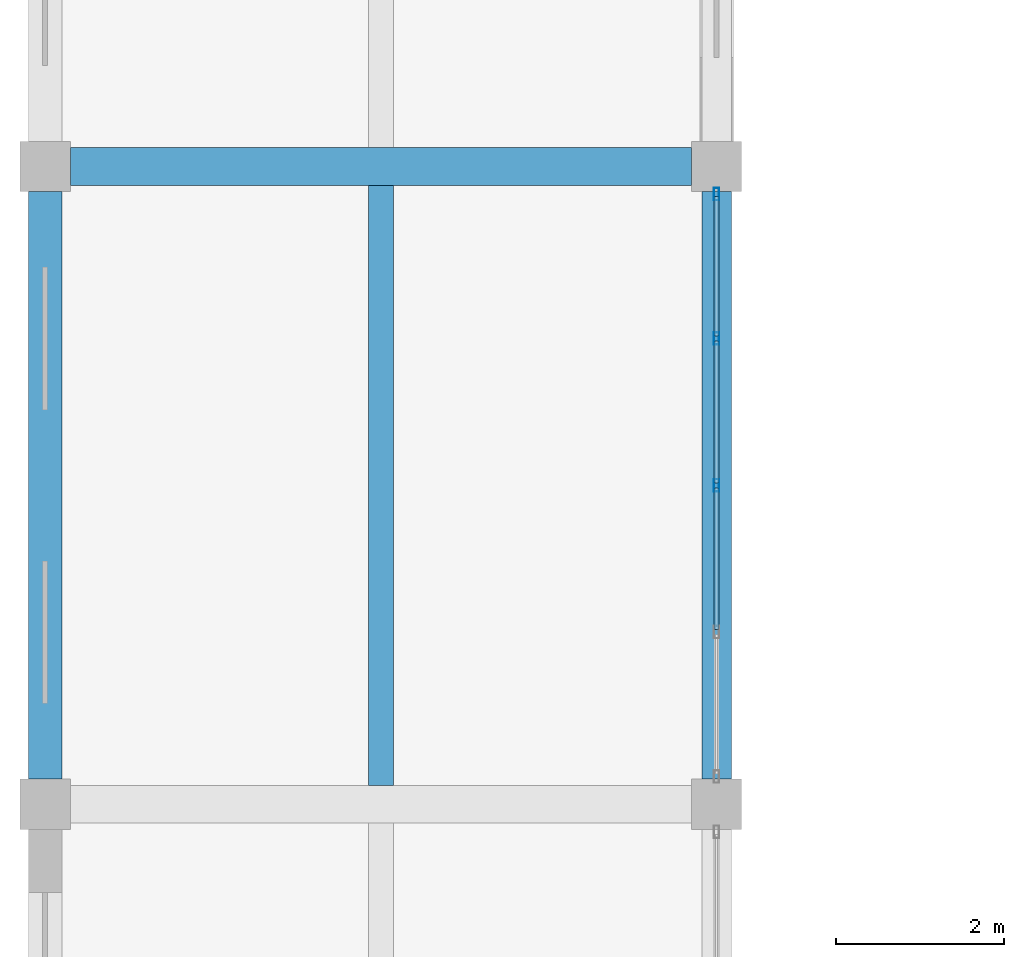
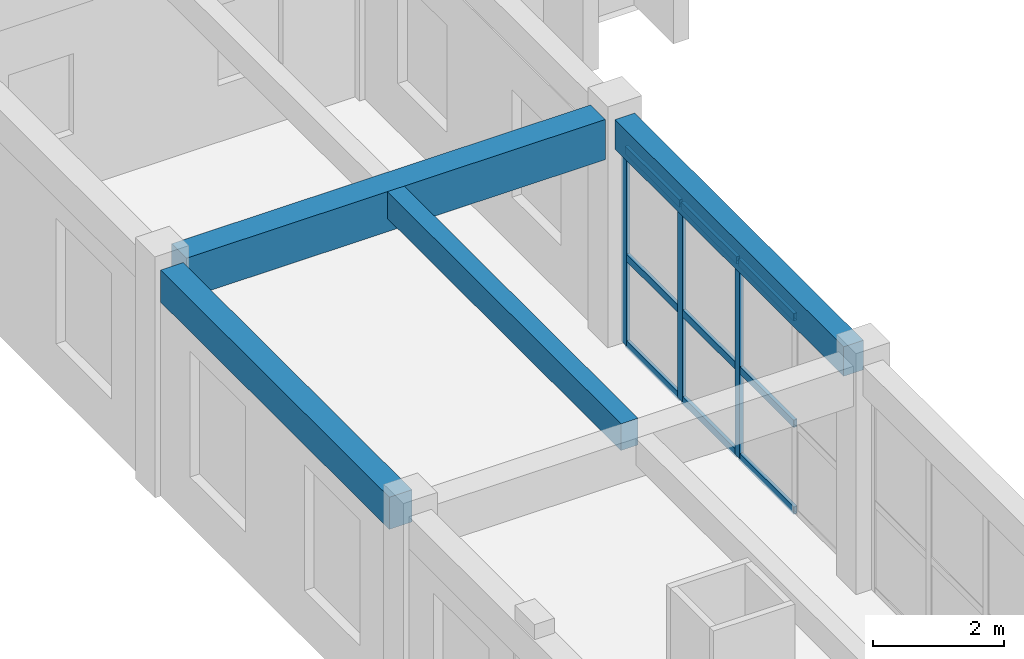
# One storey, part 13 of 79: 12 members, 4 beams, 1 element without a shape of its own.
"""IFC4 building model written with IfcOpenShell, lengths in metres."""

from ifc_helpers import new_model, si_unit, direction, frame, origin, origin_2d, place, context, subcontext, project, spatial, rectangle, hollow_rectangle, extrude, material, material_profile, profile_set, type_object, element, aggregate, save


model = new_model("IFC4")

# Units and contexts
model_context = context("Model", 3, precision=1e-05, world=origin(), true_north=direction((0.0, 1.0)))
body_context = subcontext(model_context, "Body", "Model", "MODEL_VIEW")
ifc_project = project(units=[si_unit("LENGTHUNIT", "METRE"), si_unit("AREAUNIT", "SQUARE_METRE"), si_unit("VOLUMEUNIT", "CUBIC_METRE"), si_unit("PLANEANGLEUNIT", "RADIAN"), si_unit("MASSUNIT", "GRAM", prefix="KILO")], contexts=[model_context])

# Site, building, storey
site_placement = place(None, origin())
site = spatial("IfcSite", under=ifc_project, at=site_placement, CompositionType="ELEMENT")
building_placement = place(site_placement, origin())
building = spatial("IfcBuilding", under=site, at=building_placement, Name="Zantavel Square City Hall", CompositionType="ELEMENT")
storey_placement = place(building_placement, frame((0.0, 0.0, 10.199951171875)))
storey = spatial("IfcBuildingStorey", under=building, at=storey_placement, Name="L03", CompositionType="ELEMENT", Elevation=10.199951171875)

# Curtain wall, members
ifc_material_1 = material(Name="Anodised aluminium 6063-T6", Category="aluminium")
curtain_wall_type = type_object("IfcCurtainWallType", Name="Curtain Wall CRT 7000x3670", PredefinedType="USERDEFINED", material=ifc_material_1)
curtain_wall_placement = place(storey_placement, origin())
curtain_wall = element("IfcCurtainWall", 1, at=curtain_wall_placement, inside=storey, type_object=curtain_wall_type, Name="L03 Glazed Curtain Wall CW-L03-105", ObjectType="GLAZED CURTAIN WALL", PredefinedType="USERDEFINED")
ifc_material_profile_1 = material_profile(ifc_material_1, hollow_rectangle(XDim=0.06494140625, YDim=0.14990234375, WallThickness=0.00390625, at=origin_2d()), Name="ALU 65x150x4")
ifc_profile_set_1 = profile_set([ifc_material_profile_1], Name="Anodised aluminium 6063-T6")
member_type_1 = type_object("IfcMemberType", Name="CW Mullion ALU 65x150x4", PredefinedType="MULLION", material=ifc_profile_set_1)
member_1_placement = place(storey_placement, frame((16.0, 68.070068359375, 0.0), z_axis=(0.0, 0.0, 1.0), x_axis=(1.0, 0.0, 0.0)))
member_1 = element("IfcMember", 2, at=member_1_placement, type_object=member_type_1, Name="CW-105 mullion 1", PredefinedType="MULLION", context=body_context, shape_type="SweptSolid", body=[
    extrude(hollow_rectangle(XDim=0.06494140625, YDim=0.14990234375, WallThickness=0.00390625, at=origin_2d()), origin(), (0.0, 0.0, 1.0), 3.670166015625),
])
member_2_placement = place(storey_placement, frame((16.0, 66.35009765625, 0.0), z_axis=(0.0, 0.0, 1.0), x_axis=(1.0, 0.0, 0.0)))
member_2 = element("IfcMember", 3, at=member_2_placement, type_object=member_type_1, Name="CW-105 mullion 2", PredefinedType="MULLION", context=body_context, shape_type="SweptSolid", body=[
    extrude(hollow_rectangle(XDim=0.06494140625, YDim=0.14990234375, WallThickness=0.00390625, at=origin_2d()), origin(), (0.0, 0.0, 1.0), 3.670166015625),
])
member_3_placement = place(storey_placement, frame((16.0, 64.60009765625, 0.0), z_axis=(0.0, 0.0, 1.0), x_axis=(1.0, 0.0, 0.0)))
member_3 = element("IfcMember", 4, at=member_3_placement, type_object=member_type_1, Name="CW-105 mullion 3", PredefinedType="MULLION", context=body_context, shape_type="SweptSolid", body=[
    extrude(hollow_rectangle(XDim=0.06494140625, YDim=0.14990234375, WallThickness=0.00390625, at=origin_2d()), origin(), (0.0, 0.0, 1.0), 3.670166015625),
])
ifc_material_profile_2 = material_profile(ifc_material_1, hollow_rectangle(XDim=0.06005859375, YDim=0.139892578125, WallThickness=0.00390625, at=origin_2d()), Name="ALU 60x140x4")
ifc_profile_set_2 = profile_set([ifc_material_profile_2], Name="Anodised aluminium 6063-T6")
member_type_2 = type_object("IfcMemberType", Name="CW Transom ALU 60x140x4", PredefinedType="USERDEFINED", material=ifc_profile_set_2)
member_4_placement = place(storey_placement, frame((16.0, 68.0400390625, 0.030029296875), z_axis=(0.0, -1.0, 0.0), x_axis=(1.0, 0.0, 0.0)))
member_4 = element("IfcMember", 5, at=member_4_placement, type_object=member_type_2, Name="CW-105 transom 1.1", ObjectType="TRANSOM", PredefinedType="USERDEFINED", context=body_context, shape_type="SweptSolid", body=[
    extrude(hollow_rectangle(XDim=0.06005859375, YDim=0.139892578125, WallThickness=0.00390625, at=origin_2d()), origin(), (0.0, 0.0, 1.0), 1.66015625),
])
member_5_placement = place(storey_placement, frame((16.0, 68.0400390625, 1.651123046875), z_axis=(0.0, -1.0, 0.0), x_axis=(1.0, 0.0, 0.0)))
member_5 = element("IfcMember", 6, at=member_5_placement, type_object=member_type_2, Name="CW-105 transom 1.2", ObjectType="TRANSOM", PredefinedType="USERDEFINED", context=body_context, shape_type="SweptSolid", body=[
    extrude(hollow_rectangle(XDim=0.06005859375, YDim=0.139892578125, WallThickness=0.00390625, at=origin_2d()), origin(), (0.0, 0.0, 1.0), 1.66015625),
])
member_6_placement = place(storey_placement, frame((16.0, 68.0400390625, 3.64013671875), z_axis=(0.0, -1.0, 0.0), x_axis=(1.0, 0.0, 0.0)))
member_6 = element("IfcMember", 7, at=member_6_placement, type_object=member_type_2, Name="CW-105 transom 1.3", ObjectType="TRANSOM", PredefinedType="USERDEFINED", context=body_context, shape_type="SweptSolid", body=[
    extrude(hollow_rectangle(XDim=0.06005859375, YDim=0.139892578125, WallThickness=0.00390625, at=origin_2d()), origin(), (0.0, 0.0, 1.0), 1.66015625),
])
member_7_placement = place(storey_placement, frame((16.0, 66.320068359375, 0.030029296875), z_axis=(0.0, -1.0, 0.0), x_axis=(1.0, 0.0, 0.0)))
member_7 = element("IfcMember", 8, at=member_7_placement, type_object=member_type_2, Name="CW-105 transom 2.1", ObjectType="TRANSOM", PredefinedType="USERDEFINED", context=body_context, shape_type="SweptSolid", body=[
    extrude(hollow_rectangle(XDim=0.06005859375, YDim=0.139892578125, WallThickness=0.00390625, at=origin_2d()), origin(), (0.0, 0.0, 1.0), 1.690185546875),
])
member_8_placement = place(storey_placement, frame((16.0, 66.320068359375, 1.651123046875), z_axis=(0.0, -1.0, 0.0), x_axis=(1.0, 0.0, 0.0)))
member_8 = element("IfcMember", 9, at=member_8_placement, type_object=member_type_2, Name="CW-105 transom 2.2", ObjectType="TRANSOM", PredefinedType="USERDEFINED", context=body_context, shape_type="SweptSolid", body=[
    extrude(hollow_rectangle(XDim=0.06005859375, YDim=0.139892578125, WallThickness=0.00390625, at=origin_2d()), origin(), (0.0, 0.0, 1.0), 1.690185546875),
])
member_9_placement = place(storey_placement, frame((16.0, 66.320068359375, 3.64013671875), z_axis=(0.0, -1.0, 0.0), x_axis=(1.0, 0.0, 0.0)))
member_9 = element("IfcMember", 10, at=member_9_placement, type_object=member_type_2, Name="CW-105 transom 2.3", ObjectType="TRANSOM", PredefinedType="USERDEFINED", context=body_context, shape_type="SweptSolid", body=[
    extrude(hollow_rectangle(XDim=0.06005859375, YDim=0.139892578125, WallThickness=0.00390625, at=origin_2d()), origin(), (0.0, 0.0, 1.0), 1.690185546875),
])
member_10_placement = place(storey_placement, frame((16.0, 64.570068359375, 0.030029296875), z_axis=(0.0, -1.0, 0.0), x_axis=(1.0, 0.0, 0.0)))
member_10 = element("IfcMember", 11, at=member_10_placement, type_object=member_type_2, Name="CW-105 transom 3.1", ObjectType="TRANSOM", PredefinedType="USERDEFINED", context=body_context, shape_type="SweptSolid", body=[
    extrude(hollow_rectangle(XDim=0.06005859375, YDim=0.139892578125, WallThickness=0.00390625, at=origin_2d()), origin(), (0.0, 0.0, 1.0), 1.690185546875),
])
member_11_placement = place(storey_placement, frame((16.0, 64.570068359375, 1.651123046875), z_axis=(0.0, -1.0, 0.0), x_axis=(1.0, 0.0, 0.0)))
member_11 = element("IfcMember", 12, at=member_11_placement, type_object=member_type_2, Name="CW-105 transom 3.2", ObjectType="TRANSOM", PredefinedType="USERDEFINED", context=body_context, shape_type="SweptSolid", body=[
    extrude(hollow_rectangle(XDim=0.06005859375, YDim=0.139892578125, WallThickness=0.00390625, at=origin_2d()), origin(), (0.0, 0.0, 1.0), 1.690185546875),
])
member_12_placement = place(storey_placement, frame((16.0, 64.570068359375, 3.64013671875), z_axis=(0.0, -1.0, 0.0), x_axis=(1.0, 0.0, 0.0)))
member_12 = element("IfcMember", 13, at=member_12_placement, type_object=member_type_2, Name="CW-105 transom 3.3", ObjectType="TRANSOM", PredefinedType="USERDEFINED", context=body_context, shape_type="SweptSolid", body=[
    extrude(hollow_rectangle(XDim=0.06005859375, YDim=0.139892578125, WallThickness=0.00390625, at=origin_2d()), origin(), (0.0, 0.0, 1.0), 1.690185546875),
])
aggregate(curtain_wall, [member_1, member_2, member_3, member_4, member_5, member_6, member_7, member_8, member_9, member_10, member_11, member_12])

# Beams
ifc_material_2 = material(Name="Concrete C35/45", Category="concrete")
ifc_material_profile_3 = material_profile(ifc_material_2, rectangle(XDim=0.300048828125, YDim=0.5, at=origin_2d()), Name="RC 300x500")
ifc_profile_set_3 = profile_set([ifc_material_profile_3], Name="Concrete C35/45")
beam_type_1 = type_object("IfcBeamType", Name="Floor Joist RC 300x500 C35/45", PredefinedType="JOIST", material=ifc_profile_set_3)
beam_1_placement = place(storey_placement, frame((12.0, 61.02490234375, 3.969970703125), z_axis=(0.0, 1.0, 0.0), x_axis=(-1.0, 0.0, 0.0)))
element("IfcBeam", 14, at=beam_1_placement, inside=storey, type_object=beam_type_1, Name="L03 Floor Joist JST-L03-0120-0608", PredefinedType="JOIST", context=body_context, shape_type="SweptSolid", body=[
    extrude(rectangle(XDim=0.300048828125, YDim=0.5, at=origin_2d()), origin(), (0.0, 0.0, 1.0), 7.150146484375),
])
ifc_material_profile_4 = material_profile(ifc_material_2, rectangle(XDim=0.39990234375, YDim=0.60009765625, at=origin_2d()), Name="RC 400x600")
ifc_profile_set_4 = profile_set([ifc_material_profile_4], Name="Concrete C35/45")
beam_type_2 = type_object("IfcBeamType", Name="Perimeter Spandrel RC 400x600 C35/45", PredefinedType="SPANDREL", material=ifc_profile_set_4)
beam_2_placement = place(storey_placement, frame((8.0, 61.10009765625, 3.920166015625), z_axis=(0.0, 1.0, 0.0), x_axis=(-1.0, 0.0, 0.0)))
element("IfcBeam", 15, at=beam_2_placement, inside=storey, type_object=beam_type_2, Name="L03 Beam BMY-L03-0080-0608", PredefinedType="SPANDREL", context=body_context, shape_type="SweptSolid", body=[
    extrude(rectangle(XDim=0.39990234375, YDim=0.60009765625, at=origin_2d()), origin(), (0.0, 0.0, 1.0), 7.0),
])
ifc_material_profile_5 = material_profile(ifc_material_2, rectangle(XDim=0.449951171875, YDim=0.75, at=origin_2d()), Name="RC 450x750")
ifc_profile_set_5 = profile_set([ifc_material_profile_5], Name="Concrete C35/45")
beam_type_3 = type_object("IfcBeamType", Name="Primary Girder RC 450x750 C35/45", PredefinedType="BEAM", material=ifc_profile_set_5)
beam_3_placement = place(storey_placement, frame((8.300048828125, 68.39990234375, 3.844970703125), z_axis=(1.0, 0.0, 0.0), x_axis=(0.0, 1.0, 0.0)))
element("IfcBeam", 16, at=beam_3_placement, inside=storey, type_object=beam_type_3, Name="L03 Girder BMX-L03-0080-0684", PredefinedType="BEAM", context=body_context, shape_type="SweptSolid", body=[
    extrude(rectangle(XDim=0.449951171875, YDim=0.75, at=origin_2d()), origin(), (0.0, 0.0, 1.0), 7.39990234375),
])
ifc_material_profile_6 = material_profile(ifc_material_2, rectangle(XDim=0.35009765625, YDim=0.550048828125, at=origin_2d()), Name="RC 350x550")
ifc_profile_set_6 = profile_set([ifc_material_profile_6], Name="Concrete C35/45")
beam_type_4 = type_object("IfcBeamType", Name="Secondary Beam RC 350x550 C35/45", PredefinedType="BEAM", material=ifc_profile_set_6)
beam_4_placement = place(storey_placement, frame((16.0, 61.10009765625, 3.945068359375), z_axis=(0.0, 1.0, 0.0), x_axis=(-1.0, 0.0, 0.0)))
element("IfcBeam", 17, at=beam_4_placement, inside=storey, type_object=beam_type_4, Name="L03 Beam BMY-L03-0160-0608", PredefinedType="BEAM", context=body_context, shape_type="SweptSolid", body=[
    extrude(rectangle(XDim=0.35009765625, YDim=0.550048828125, at=origin_2d()), origin(), (0.0, 0.0, 1.0), 7.0),
])

save(model, "model.ifc")
